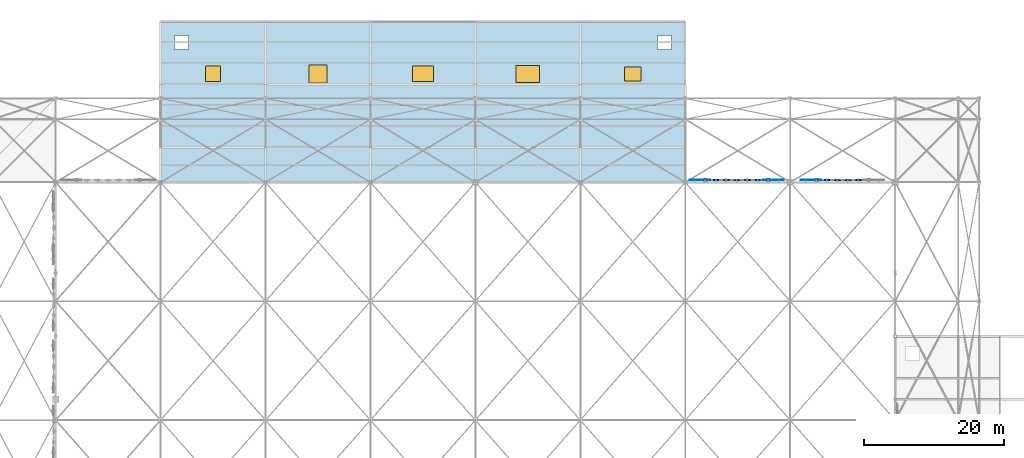
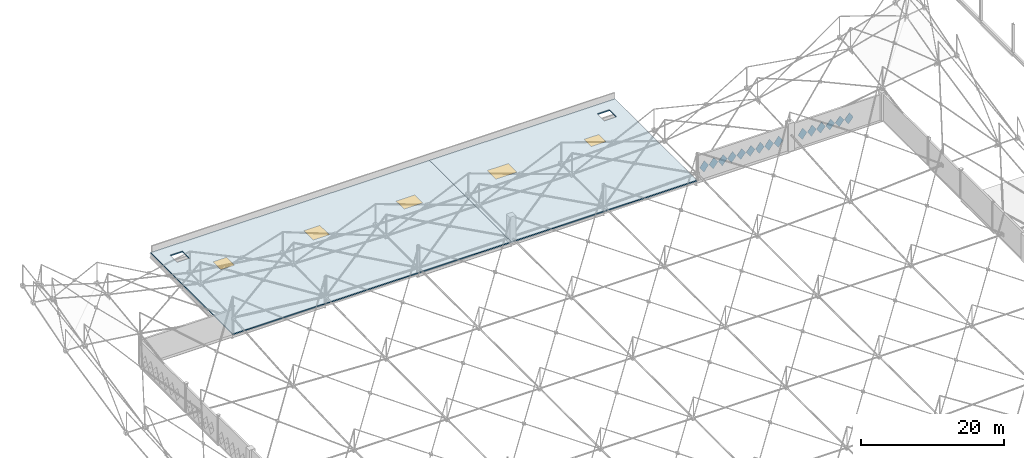
# One storey, part 165 of 224: 15 plates, 5 windows, 2 slabs, 5 openings.
"""IFC4 building model written with IfcOpenShell, lengths in metres."""

from ifc_helpers import new_model, si_unit, direction, frame, origin, origin_2d, place, context, subcontext, project, spatial, polyline, rectangle, outline, extrude, material, layer, layer_set, type_object, element, fill, save


model = new_model("IFC4")

# Units and contexts
model_context = context("Model", 3, precision=1e-05, world=origin(), true_north=direction((0.0, 1.0)))
body_context = subcontext(model_context, "Body", "Model", "MODEL_VIEW")
ifc_project = project(units=[si_unit("LENGTHUNIT", "METRE"), si_unit("AREAUNIT", "SQUARE_METRE"), si_unit("VOLUMEUNIT", "CUBIC_METRE"), si_unit("PLANEANGLEUNIT", "RADIAN"), si_unit("MASSUNIT", "GRAM", prefix="KILO")], contexts=[model_context])

# Site, building, storey
site_placement = place(None, origin())
site = spatial("IfcSite", under=ifc_project, at=site_placement, CompositionType="ELEMENT")
building_placement = place(site_placement, origin())
building = spatial("IfcBuilding", under=site, at=building_placement, Name="Qamarlyn Nura Convention Centre", CompositionType="ELEMENT")
storey_placement = place(building_placement, frame((0.0, 0.0, 10.800048828125)))
storey = spatial("IfcBuildingStorey", under=building, at=storey_placement, Name="L02", CompositionType="ELEMENT", Elevation=10.800048828125)

# Plates
ifc_material_1 = material(Name="White high-albedo PVDF aluminium composite sheet", Category="aluminium")
ifc_layer_1 = layer(ifc_material_1, 0.02001953125, Name="FP-DIAM-02")
ifc_layer_set_1 = layer_set([ifc_layer_1], Name="White high-albedo PVDF aluminium composite sheet")
plate_type_1 = type_object("IfcPlateType", Name="FP-DIAM-02", PredefinedType="SHEET", material=ifc_layer_set_1)
for number, where, z_axis, x_axis, name in (
    (1, (91.364013671875, 103.31005859375, 1.699951171875), (0.0, 0.998922518042, 0.046409082599), (-1.0, 0.0, 0.0), "L02 pivoted white diamond facade tile 0287"),
    (2, (103.364013671875, 103.31005859375, 1.699951171875), (0.0, 0.998922518042, 0.046409082599), (-1.0, 0.0, 0.0), "L02 pivoted white diamond facade tile 0295"),
    (3, (107.25, 103.31005859375, 1.699951171875), (0.0, 0.998797596236, 0.049024093608), (-1.0, 0.0, 0.0), "L02 pivoted white diamond facade tile 0296"),
):
    element("IfcPlate", number, at=place(storey_placement, frame(where, z_axis=z_axis, x_axis=x_axis)), inside=storey, type_object=plate_type_1, Name=name, PredefinedType="SHEET", context=body_context, shape_type="SweptSolid", body=[
        extrude(outline(polyline([(-0.719970703125, 0.0), (0.0, -1.050048828125), (0.719970703125, 0.0), (0.0, 1.050048828125), (-0.719970703125, 0.0)])), origin(), (0.0, 0.0, 1.0), 0.02001953125),
    ])
ifc_layer_2 = layer(ifc_material_1, 0.02587890625, Name="FP-DIAM-04")
ifc_layer_set_2 = layer_set([ifc_layer_2], Name="White high-albedo PVDF aluminium composite sheet")
plate_type_2 = type_object("IfcPlateType", Name="FP-DIAM-04", PredefinedType="SHEET", material=ifc_layer_set_2)
for number, where, z_axis, x_axis, name in (
    (4, (92.864013671875, 103.31005859375, 1.699951171875), (0.0, 0.996419457129, 0.084547415428), (-1.0, 0.0, 0.0), "L02 pivoted white diamond facade tile 0288"),
    (5, (101.864013671875, 103.31005859375, 1.699951171875), (0.0, 0.996419457129, 0.084547415428), (-1.0, 0.0, 0.0), "L02 pivoted white diamond facade tile 0294"),
):
    element("IfcPlate", number, at=place(storey_placement, frame(where, z_axis=z_axis, x_axis=x_axis)), inside=storey, type_object=plate_type_2, Name=name, PredefinedType="SHEET", context=body_context, shape_type="SweptSolid", body=[
        extrude(outline(polyline([(-0.719970703125, 0.0), (0.0, -1.050048828125), (0.719970703125, 0.0), (0.0, 1.050048828125), (-0.719970703125, 0.0)])), origin(), (0.0, 0.0, 1.0), 0.02587890625),
    ])
ifc_layer_3 = layer(ifc_material_1, 0.030029296875, Name="FP-DIAM-05")
ifc_layer_set_3 = layer_set([ifc_layer_3], Name="White high-albedo PVDF aluminium composite sheet")
plate_type_3 = type_object("IfcPlateType", Name="FP-DIAM-05", PredefinedType="SHEET", material=ifc_layer_set_3)
plate_placement = place(storey_placement, frame((108.75, 103.31005859375, 1.699951171875), z_axis=(0.0, 0.995852701205, 0.090980203904), x_axis=(-1.0, 0.0, 0.0)))
element("IfcPlate", 6, at=plate_placement, inside=storey, type_object=plate_type_3, Name="L02 pivoted white diamond facade tile 0297", PredefinedType="SHEET", context=body_context, shape_type="SweptSolid", body=[
    extrude(outline(polyline([(-0.719970703125, 0.0), (0.0, -1.050048828125), (0.719970703125, 0.0), (0.0, 1.050048828125), (-0.719970703125, 0.0)])), origin(), (0.0, 0.0, 1.0), 0.030029296875),
])
ifc_layer_4 = layer(ifc_material_1, 0.0380859375, Name="FP-DIAM-07")
ifc_layer_set_4 = layer_set([ifc_layer_4], Name="White high-albedo PVDF aluminium composite sheet")
plate_type_4 = type_object("IfcPlateType", Name="FP-DIAM-07", PredefinedType="SHEET", material=ifc_layer_set_4)
for number, where, z_axis, x_axis, name in (
    (7, (94.364013671875, 103.31005859375, 1.699951171875), (0.0, 0.993312448482, 0.115457263478), (-1.0, 0.0, 0.0), "L02 pivoted white diamond facade tile 0289"),
    (8, (100.364013671875, 103.31005859375, 1.699951171875), (0.0, 0.993312448482, 0.115457263478), (-1.0, 0.0, 0.0), "L02 pivoted white diamond facade tile 0293"),
    (9, (110.25, 103.31005859375, 1.699951171875), (0.0, 0.992396519438, 0.123081876034), (-1.0, 0.0, 0.0), "L02 pivoted white diamond facade tile 0298"),
    (10, (114.75, 103.31005859375, 1.699951171875), (0.0, 0.992396519438, 0.123081876034), (-1.0, 0.0, 0.0), "L02 pivoted white diamond facade tile 0301"),
):
    element("IfcPlate", number, at=place(storey_placement, frame(where, z_axis=z_axis, x_axis=x_axis)), inside=storey, type_object=plate_type_4, Name=name, PredefinedType="SHEET", context=body_context, shape_type="SweptSolid", body=[
        extrude(outline(polyline([(-0.719970703125, 0.0), (0.0, -1.050048828125), (0.719970703125, 0.0), (0.0, 1.050048828125), (-0.719970703125, 0.0)])), origin(), (0.0, 0.0, 1.0), 0.0380859375),
    ])
ifc_layer_5 = layer(ifc_material_1, 0.0439453125, Name="FP-DIAM-08")
ifc_layer_set_5 = layer_set([ifc_layer_5], Name="White high-albedo PVDF aluminium composite sheet")
plate_type_5 = type_object("IfcPlateType", Name="FP-DIAM-08", PredefinedType="SHEET", material=ifc_layer_set_5)
for number, where, z_axis, x_axis, name in (
    (11, (95.864013671875, 103.31005859375, 1.699951171875), (0.0, 0.990747840471, 0.135715572434), (-1.0, 0.0, 0.0), "L02 pivoted white diamond facade tile 0290"),
    (12, (97.364013671875, 103.31005859375, 1.699951171875), (0.0, 0.989776230908, 0.142628933706), (-1.0, 0.0, 0.0), "L02 pivoted white diamond facade tile 0291"),
    (13, (98.864013671875, 103.31005859375, 1.699951171875), (0.0, 0.990747840471, 0.135715572434), (-1.0, 0.0, 0.0), "L02 pivoted white diamond facade tile 0292"),
    (14, (111.75, 103.31005859375, 1.699951171875), (0.0, 0.990097297715, 0.140382837472), (-1.0, 0.0, 0.0), "L02 pivoted white diamond facade tile 0299"),
    (15, (113.25, 103.31005859375, 1.699951171875), (0.0, 0.990097297715, 0.140382837472), (-1.0, 0.0, 0.0), "L02 pivoted white diamond facade tile 0300"),
):
    element("IfcPlate", number, at=place(storey_placement, frame(where, z_axis=z_axis, x_axis=x_axis)), inside=storey, type_object=plate_type_5, Name=name, PredefinedType="SHEET", context=body_context, shape_type="SweptSolid", body=[
        extrude(outline(polyline([(-0.719970703125, 0.0), (0.0, -1.050048828125), (0.719970703125, 0.0), (0.0, 1.050048828125), (-0.719970703125, 0.0)])), origin(), (0.0, 0.0, 1.0), 0.0439453125),
    ])

# Slab, openings, windows
ifc_material_2 = material(Name="Concrete C40/50", Category="concrete")
ifc_layer_6 = layer(ifc_material_2, 0.195068359375, Name="RF-L02")
ifc_layer_set_6 = layer_set([ifc_layer_6], Name="Concrete C40/50")
slab_type = type_object("IfcSlabType", Name="RF-L02", PredefinedType="ROOF", material=ifc_layer_set_6)
slab_1_placement = place(storey_placement, frame((0.0, 0.0, -0.195068359375)))
slab_1 = element("IfcSlab", 16, at=slab_1_placement, inside=storey, type_object=slab_type, Name="L02 flat roof deck R-L02-NS1", PredefinedType="ROOF", context=body_context, shape_type="SweptSolid", body=[
    extrude(outline(polyline([(15.0, 103.0), (15.0, 126.0), (60.0, 126.0), (60.0, 103.0), (15.0, 103.0)]), holes=[polyline([(19.0, 124.0), (17.0, 124.0), (17.0, 122.0), (19.0, 122.0), (19.0, 124.0)])]), origin(), (0.0, 0.0, 1.0), 0.195068359375),
])
opening_1_placement = place(slab_1_placement, frame((22.5, 118.5, 0.0)))
opening_1 = element("IfcOpeningElement", 17, at=opening_1_placement, cuts=slab_1, Name="Opening SK01", PredefinedType="OPENING", context=body_context, shape_type="SweptSolid", body=[
    extrude(rectangle(XDim=2.199951171875, YDim=2.199951171875, at=origin_2d()), frame((0.0, 0.0, -0.010009765625)), (0.0, 0.0, 1.0), 0.215087890625),
])
opening_2_placement = place(slab_1_placement, frame((37.5, 118.5, 0.0)))
opening_2 = element("IfcOpeningElement", 18, at=opening_2_placement, cuts=slab_1, Name="Opening SK02", PredefinedType="OPENING", context=body_context, shape_type="SweptSolid", body=[
    extrude(rectangle(XDim=2.60009765625, YDim=2.60009765625, at=origin_2d()), frame((0.0, 0.0, -0.010009765625)), (0.0, 0.0, 1.0), 0.215087890625),
])
opening_3_placement = place(slab_1_placement, frame((52.5, 118.5, 0.0)))
opening_3 = element("IfcOpeningElement", 19, at=opening_3_placement, cuts=slab_1, Name="Opening SK03", PredefinedType="OPENING", context=body_context, shape_type="SweptSolid", body=[
    extrude(rectangle(XDim=3.0, YDim=2.199951171875, at=origin_2d()), frame((0.0, 0.0, -0.010009765625)), (0.0, 0.0, 1.0), 0.215087890625),
])
ifc_material_3 = material(Name="Laminated solar-control skylight glass", Category="glass")
window_type_1 = type_object("IfcWindowType", Name="SKY-MOD-01", PartitioningType="SINGLE_PANEL", PredefinedType="SKYLIGHT", material=ifc_material_3)
window_1_placement = place(opening_1_placement, frame((0.0, 0.0, 0.14501953125)))
window_1 = element("IfcWindow", 20, at=window_1_placement, inside=storey, type_object=window_type_1, Name="L02 modular roof skylight 13", OverallHeight=2.199951171875, OverallWidth=2.199951171875, PartitioningType="SINGLE_PANEL", PredefinedType="SKYLIGHT", context=body_context, shape_type="SweptSolid", body=[
    extrude(rectangle(XDim=2.199951171875, YDim=2.199951171875, at=origin_2d()), origin(), (0.0, 0.0, 1.0), 0.050048828125),
])
fill(opening_1, window_1)
window_type_2 = type_object("IfcWindowType", Name="SKY-MOD-02", PartitioningType="SINGLE_PANEL", PredefinedType="SKYLIGHT", material=ifc_material_3)
window_2_placement = place(opening_2_placement, frame((0.0, 0.0, 0.14501953125)))
window_2 = element("IfcWindow", 21, at=window_2_placement, inside=storey, type_object=window_type_2, Name="L02 modular roof skylight 14", OverallHeight=2.60009765625, OverallWidth=2.60009765625, PartitioningType="SINGLE_PANEL", PredefinedType="SKYLIGHT", context=body_context, shape_type="SweptSolid", body=[
    extrude(rectangle(XDim=2.60009765625, YDim=2.60009765625, at=origin_2d()), origin(), (0.0, 0.0, 1.0), 0.050048828125),
])
fill(opening_2, window_2)
window_type_3 = type_object("IfcWindowType", Name="SKY-MOD-03", PartitioningType="SINGLE_PANEL", PredefinedType="SKYLIGHT", material=ifc_material_3)
window_3_placement = place(opening_3_placement, frame((0.0, 0.0, 0.14501953125)))
window_3 = element("IfcWindow", 22, at=window_3_placement, inside=storey, type_object=window_type_3, Name="L02 modular roof skylight 15", OverallHeight=2.199951171875, OverallWidth=3.0, PartitioningType="SINGLE_PANEL", PredefinedType="SKYLIGHT", context=body_context, shape_type="SweptSolid", body=[
    extrude(rectangle(XDim=3.0, YDim=2.199951171875, at=origin_2d()), origin(), (0.0, 0.0, 1.0), 0.050048828125),
])
fill(opening_3, window_3)

slab_2_placement = place(storey_placement, frame((0.0, 0.0, -0.195068359375)))
slab_2 = element("IfcSlab", 23, at=slab_2_placement, inside=storey, type_object=slab_type, Name="L02 flat roof deck R-L02-NS2", PredefinedType="ROOF", context=body_context, shape_type="SweptSolid", body=[
    extrude(outline(polyline([(60.0, 103.0), (60.0, 126.0), (90.0, 126.0), (90.0, 103.0), (60.0, 103.0)]), holes=[polyline([(88.0, 124.0), (86.0, 124.0), (86.0, 122.0), (88.0, 122.0), (88.0, 124.0)])]), origin(), (0.0, 0.0, 1.0), 0.195068359375),
])
opening_4_placement = place(slab_2_placement, frame((67.5, 118.5, 0.0)))
opening_4 = element("IfcOpeningElement", 24, at=opening_4_placement, cuts=slab_2, Name="Opening SK04", PredefinedType="OPENING", context=body_context, shape_type="SweptSolid", body=[
    extrude(rectangle(XDim=3.39990234375, YDim=2.39990234375, at=origin_2d()), frame((0.0, 0.0, -0.010009765625)), (0.0, 0.0, 1.0), 0.215087890625),
])
opening_5_placement = place(slab_2_placement, frame((82.5, 118.5, 0.0)))
opening_5 = element("IfcOpeningElement", 25, at=opening_5_placement, cuts=slab_2, Name="Opening SK05", PredefinedType="OPENING", context=body_context, shape_type="SweptSolid", body=[
    extrude(rectangle(XDim=2.39990234375, YDim=2.0, at=origin_2d()), frame((0.0, 0.0, -0.010009765625)), (0.0, 0.0, 1.0), 0.215087890625),
])
window_type_4 = type_object("IfcWindowType", Name="SKY-MOD-04", PartitioningType="SINGLE_PANEL", PredefinedType="SKYLIGHT", material=ifc_material_3)
window_4_placement = place(opening_4_placement, frame((0.0, 0.0, 0.14501953125)))
window_4 = element("IfcWindow", 26, at=window_4_placement, inside=storey, type_object=window_type_4, Name="L02 modular roof skylight 16", OverallHeight=2.39990234375, OverallWidth=3.39990234375, PartitioningType="SINGLE_PANEL", PredefinedType="SKYLIGHT", context=body_context, shape_type="SweptSolid", body=[
    extrude(rectangle(XDim=3.39990234375, YDim=2.39990234375, at=origin_2d()), origin(), (0.0, 0.0, 1.0), 0.050048828125),
])
fill(opening_4, window_4)
window_type_5 = type_object("IfcWindowType", Name="SKY-MOD-05", PartitioningType="SINGLE_PANEL", PredefinedType="SKYLIGHT", material=ifc_material_3)
window_5_placement = place(opening_5_placement, frame((0.0, 0.0, 0.14501953125)))
window_5 = element("IfcWindow", 27, at=window_5_placement, inside=storey, type_object=window_type_5, Name="L02 modular roof skylight 17", OverallHeight=2.0, OverallWidth=2.39990234375, PartitioningType="SINGLE_PANEL", PredefinedType="SKYLIGHT", context=body_context, shape_type="SweptSolid", body=[
    extrude(rectangle(XDim=2.39990234375, YDim=2.0, at=origin_2d()), origin(), (0.0, 0.0, 1.0), 0.050048828125),
])
fill(opening_5, window_5)

save(model, "model.ifc")
